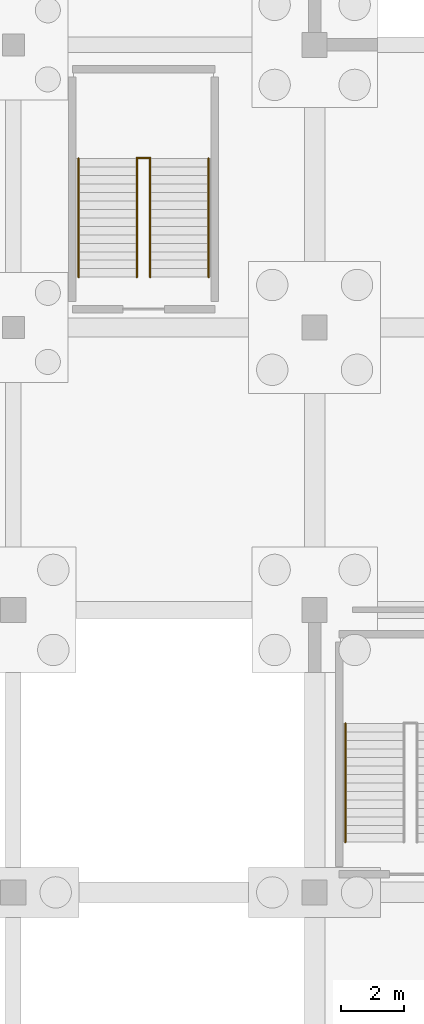
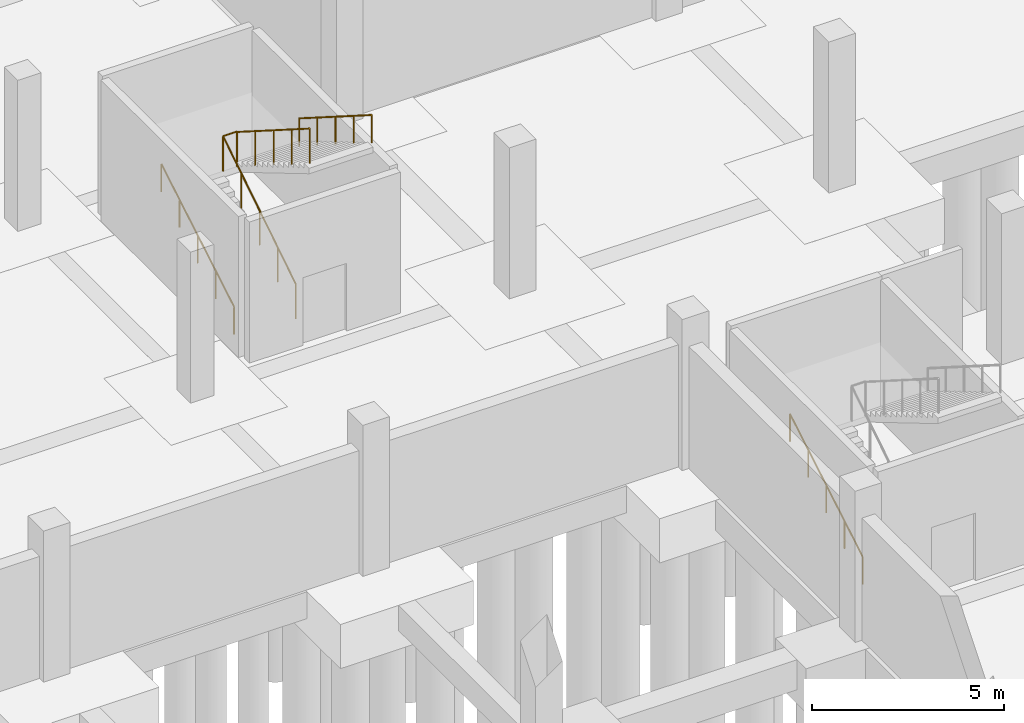
# One storey, part 34 of 39: 6 railings.
"""IFC4 building model written with IfcOpenShell, lengths in metres."""

from ifc_helpers import new_model, si_unit, direction, frame, origin, origin_2d, place, context, subcontext, project, spatial, circle, extrude, material, type_object, element, save


model = new_model("IFC4")

# Units and contexts
model_context = context("Model", 3, precision=1e-05, world=origin(), true_north=direction((0.0, 1.0)))
body_context = subcontext(model_context, "Body", "Model", "MODEL_VIEW")
ifc_project = project(units=[si_unit("LENGTHUNIT", "METRE"), si_unit("AREAUNIT", "SQUARE_METRE"), si_unit("VOLUMEUNIT", "CUBIC_METRE"), si_unit("PLANEANGLEUNIT", "RADIAN"), si_unit("MASSUNIT", "GRAM", prefix="KILO")], contexts=[model_context])

# Site, building, storey
site_placement = place(None, origin())
site = spatial("IfcSite", under=ifc_project, at=site_placement, CompositionType="ELEMENT")
building_placement = place(site_placement, origin())
building = spatial("IfcBuilding", under=site, at=building_placement, Name="Zarnetskaya Central Station", CompositionType="ELEMENT")
storey_placement = place(building_placement, frame((0.0, 0.0, -4.800048828125)))
storey = spatial("IfcBuildingStorey", under=building, at=storey_placement, Name="B1", CompositionType="ELEMENT", Elevation=-4.800048828125)

# Railings
ifc_material = material(Name="Steel S355", Category="steel")
railing_type_1 = type_object("IfcRailingType", Name="RAIL-HAND-900", PredefinedType="HANDRAIL", material=ifc_material)
for number, where, name in (
    (1, (125.780029296875, 14.800048828125, 0.16015625), "Stair ST-V1 B1 flight 1 handrail"),
    (2, (117.280029296875, 32.800048828125, 0.16015625), "Stair ST-E1 B1 flight 1 handrail"),
):
    element("IfcRailing", number, at=place(storey_placement, frame(where)), inside=storey, type_object=railing_type_1, Name=name, PredefinedType="HANDRAIL", context=body_context, shape_type="SweptSolid", body=[
        extrude(circle(Radius=0.02392578125, at=origin_2d()), frame((0.0, 0.0, 0.8759765625), z_axis=(0.0, 0.860294241299, 0.509797821089), x_axis=(-1.0, 0.0, 0.0)), (0.0, 0.0, 1.0), 4.393798828125),
        extrude(circle(Radius=0.02099609375, at=origin_2d()), origin(), (0.0, 0.0, 1.0), 0.851806640625),
        extrude(circle(Radius=0.02099609375, at=origin_2d()), frame((0.0, 0.945068359375, 0.56005859375)), (0.0, 0.0, 1.0), 0.851806640625),
        extrude(circle(Radius=0.02099609375, at=origin_2d()), frame((0.0, 1.89013671875, 1.1201171875)), (0.0, 0.0, 1.0), 0.851806640625),
        extrude(circle(Radius=0.02099609375, at=origin_2d()), frame((0.0, 2.8349609375, 1.679931640625)), (0.0, 0.0, 1.0), 0.851806640625),
        extrude(circle(Radius=0.02099609375, at=origin_2d()), frame((0.0, 3.780029296875, 2.239990234375)), (0.0, 0.0, 1.0), 0.851806640625),
    ])
railing_1_placement = place(storey_placement, frame((121.419921875, 36.580078125, 2.400146484375)))
element("IfcRailing", 3, at=railing_1_placement, inside=storey, type_object=railing_type_1, Name="Stair ST-E1 B1 flight 2 handrail", PredefinedType="HANDRAIL", context=body_context, shape_type="SweptSolid", body=[
    extrude(circle(Radius=0.02392578125, at=origin_2d()), frame((0.0, 0.0, 0.8759765625), z_axis=(0.0, -0.844224564207, 0.535989631606), x_axis=(1.0, 0.0, 0.0)), (0.0, 0.0, 1.0), 4.4775390625),
    extrude(circle(Radius=0.02099609375, at=origin_2d()), origin(), (0.0, 0.0, 1.0), 0.851806640625),
    extrude(circle(Radius=0.02099609375, at=origin_2d()), frame((0.0, -0.945068359375, 0.60009765625)), (0.0, 0.0, 1.0), 0.851806640625),
    extrude(circle(Radius=0.02099609375, at=origin_2d()), frame((0.0, -1.89013671875, 1.199951171875)), (0.0, 0.0, 1.0), 0.851806640625),
    extrude(circle(Radius=0.02099609375, at=origin_2d()), frame((0.0, -2.8349609375, 1.7998046875)), (0.0, 0.0, 1.0), 0.851806640625),
    extrude(circle(Radius=0.02099609375, at=origin_2d()), frame((0.0, -3.780029296875, 2.39990234375)), (0.0, 0.0, 1.0), 0.851806640625),
])
railing_type_2 = type_object("IfcRailingType", Name="RAIL-STAIR-GRD", PredefinedType="BALUSTRADE", material=ifc_material)
railing_2_placement = place(storey_placement, frame((119.139892578125, 32.800048828125, 0.0)))
element("IfcRailing", 4, at=railing_2_placement, inside=storey, type_object=railing_type_2, Name="Stair ST-E1 B1 flight 1 well guard", PredefinedType="BALUSTRADE", context=body_context, shape_type="SweptSolid", body=[
    extrude(circle(Radius=0.02392578125, at=origin_2d()), frame((0.0, 0.0, 1.09619140625), z_axis=(0.0, 0.844199891302, 0.536028491338), x_axis=(-1.0, 0.0, 0.0)), (0.0, 0.0, 1.0), 4.4775390625),
    extrude(circle(Radius=0.02099609375, at=origin_2d()), origin(), (0.0, 0.0, 1.0), 1.072021484375),
    extrude(circle(Radius=0.02099609375, at=origin_2d()), frame((0.0, 0.945068359375, 0.60009765625)), (0.0, 0.0, 1.0), 1.072021484375),
    extrude(circle(Radius=0.02099609375, at=origin_2d()), frame((0.0, 1.89013671875, 1.2001953125)), (0.0, 0.0, 1.0), 1.072021484375),
    extrude(circle(Radius=0.02099609375, at=origin_2d()), frame((0.0, 2.8349609375, 1.800048828125)), (0.0, 0.0, 1.0), 1.072021484375),
    extrude(circle(Radius=0.02099609375, at=origin_2d()), frame((0.0, 3.780029296875, 2.400146484375)), (0.0, 0.0, 1.0), 1.072021484375),
])
railing_3_placement = place(storey_placement, frame((119.139892578125, 36.60009765625, 2.400146484375)))
element("IfcRailing", 5, at=railing_3_placement, inside=storey, type_object=railing_type_2, Name="Stair ST-E1 B1 half-landing well guard", PredefinedType="BALUSTRADE", context=body_context, shape_type="SweptSolid", body=[
    extrude(circle(Radius=0.02392578125, at=origin_2d()), frame((0.0, 0.0, 1.09619140625), z_axis=(1.0, 0.0, 0.0), x_axis=(0.0, 1.0, 0.0)), (0.0, 0.0, 1.0), 0.420166015625),
    extrude(circle(Radius=0.02099609375, at=origin_2d()), origin(), (0.0, 0.0, 1.0), 1.072021484375),
    extrude(circle(Radius=0.02099609375, at=origin_2d()), frame((0.420166015625, 0.0, 0.0)), (0.0, 0.0, 1.0), 1.072021484375),
])
railing_4_placement = place(storey_placement, frame((119.56005859375, 36.580078125, 2.400146484375)))
element("IfcRailing", 6, at=railing_4_placement, inside=storey, type_object=railing_type_2, Name="Stair ST-E1 B1 flight 2 well guard", PredefinedType="BALUSTRADE", context=body_context, shape_type="SweptSolid", body=[
    extrude(circle(Radius=0.02392578125, at=origin_2d()), frame((0.0, 0.0, 1.09619140625), z_axis=(0.0, -0.844224564207, 0.535989631606), x_axis=(1.0, 0.0, 0.0)), (0.0, 0.0, 1.0), 4.4775390625),
    extrude(circle(Radius=0.02099609375, at=origin_2d()), origin(), (0.0, 0.0, 1.0), 1.072021484375),
    extrude(circle(Radius=0.02099609375, at=origin_2d()), frame((0.0, -0.945068359375, 0.60009765625)), (0.0, 0.0, 1.0), 1.072021484375),
    extrude(circle(Radius=0.02099609375, at=origin_2d()), frame((0.0, -1.89013671875, 1.199951171875)), (0.0, 0.0, 1.0), 1.072021484375),
    extrude(circle(Radius=0.02099609375, at=origin_2d()), frame((0.0, -2.8349609375, 1.7998046875)), (0.0, 0.0, 1.0), 1.072021484375),
    extrude(circle(Radius=0.02099609375, at=origin_2d()), frame((0.0, -3.780029296875, 2.39990234375)), (0.0, 0.0, 1.0), 1.072021484375),
])

save(model, "model.ifc")
